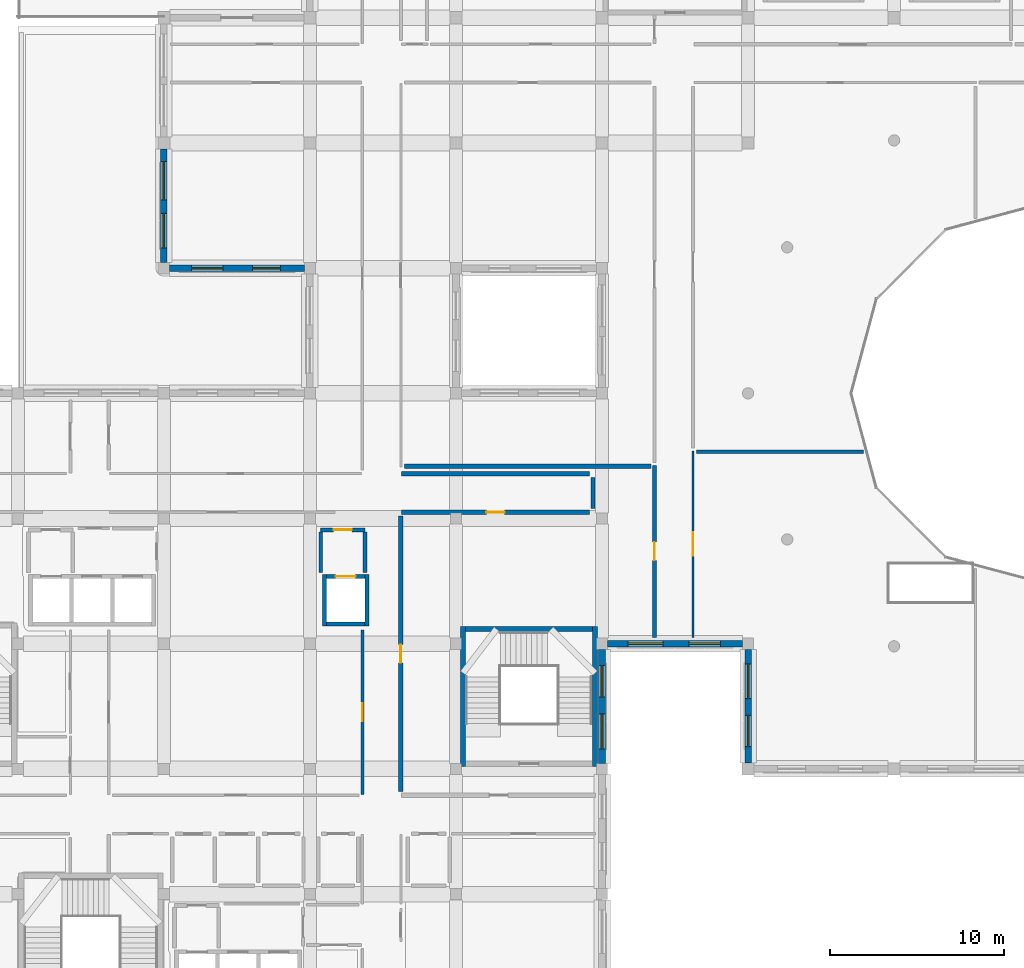
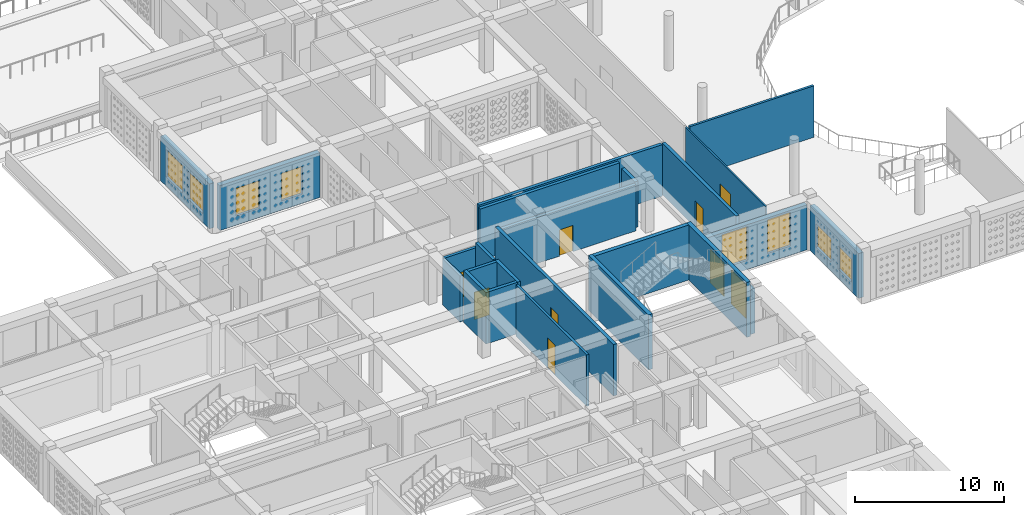
# One storey, part 9 of 47: 24 walls, 10 windows, 7 doors, 17 openings.
"""IFC4 building model written with IfcOpenShell, lengths in metres."""

from ifc_helpers import new_model, si_unit, derived_unit, direction, frame, frame_2d, origin, place, context, subcontext, project, spatial, rectangle, extrude, material, layer, layer_set, type_object, element, fill, save


model = new_model("IFC4")

# Units and contexts
model_context = context("Model", 3, precision=1e-05, world=origin(), true_north=direction((0.0, 1.0)))
body_context = subcontext(model_context, "Body", "Model", "MODEL_VIEW")
ifc_project = project(units=[si_unit("LENGTHUNIT", "METRE"), si_unit("AREAUNIT", "SQUARE_METRE"), si_unit("VOLUMEUNIT", "CUBIC_METRE"), si_unit("PLANEANGLEUNIT", "RADIAN"), si_unit("MASSUNIT", "GRAM", prefix="KILO"), derived_unit("THERMALTRANSMITTANCEUNIT", [(si_unit("POWERUNIT", "WATT"), 1), (si_unit("LENGTHUNIT", "METRE"), -2), (si_unit("THERMODYNAMICTEMPERATUREUNIT", "KELVIN"), -1)])], contexts=[model_context])

# Site, building, storey
site_placement = place(None, origin())
site = spatial("IfcSite", under=ifc_project, at=site_placement, CompositionType="ELEMENT")
building_placement = place(site_placement, origin())
building = spatial("IfcBuilding", under=site, at=building_placement, Name="Veybourne Emporium", CompositionType="ELEMENT")
storey_placement = place(building_placement, frame((0.0, 0.0, 23.39990234375)))
storey = spatial("IfcBuildingStorey", under=building, at=storey_placement, Name="L05", CompositionType="ELEMENT", Elevation=23.39990234375)

# Wall, openings, windows
ifc_material_1 = material(Name="Portland Limestone Ashlar", Category="masonry")
ifc_layer_1 = layer(ifc_material_1, 0.3798828125)
ifc_layer_set_1 = layer_set([ifc_layer_1], Name="Portland Limestone Ashlar")
wall_type_1 = type_object("IfcWallType", Name="ExtWall_EW-03", PredefinedType="SOLIDWALL", material=ifc_layer_set_1)
wall_1_placement = place(storey_placement, frame((33.27490234375, 57.60009765625, 0.0), z_axis=(0.0, 0.0, 1.0), x_axis=(-1.0, 0.0, 0.0)))
wall_1 = element("IfcWall", 1, at=wall_1_placement, inside=storey, type_object=wall_type_1, Name="L05 Portland stone external wall 016", PredefinedType="SOLIDWALL", context=body_context, shape_type="SweptSolid", body=[
    extrude(rectangle(XDim=7.75, YDim=0.3798828125, at=frame_2d((3.875, 0.0))), origin(), (0.0, 0.0, 1.0), 3.66015625),
])
opening_1_placement = place(wall_1_placement, frame((1.3701171875, 0.0, 0.75)))
opening_1 = element("IfcOpeningElement", 2, at=opening_1_placement, cuts=wall_1, Name="Opening W-19", PredefinedType="OPENING", context=body_context, shape_type="SweptSolid", body=[
    extrude(rectangle(XDim=1.60009765625, YDim=2.260009765625, at=frame_2d((0.800048828125, 1.1298828125))), frame((0.0, 0.2099609375, 0.0), z_axis=(0.0, -1.0, 0.0), x_axis=(1.0, 0.0, 0.0)), (0.0, 0.0, 1.0), 0.419921875),
])
opening_2_placement = place(wall_1_placement, frame((4.679931640625, 0.0, 0.75)))
opening_2 = element("IfcOpeningElement", 3, at=opening_2_placement, cuts=wall_1, Name="Opening W-20", PredefinedType="OPENING", context=body_context, shape_type="SweptSolid", body=[
    extrude(rectangle(XDim=1.800048828125, YDim=2.260009765625, at=frame_2d((0.89990234375, 1.1298828125))), frame((0.0, 0.2099609375, 0.0), z_axis=(0.0, -1.0, 0.0), x_axis=(1.0, 0.0, 0.0)), (0.0, 0.0, 1.0), 0.419921875),
])
ifc_material_2 = material(Name="Low-E Triple Glazing", Category="glass")
window_type_1 = type_object("IfcWindowType", Name="Win_W-19", PartitioningType="DOUBLE_PANEL_VERTICAL", PredefinedType="WINDOW", material=ifc_material_2)
window_1_placement = place(opening_1_placement, origin())
window_1 = element("IfcWindow", 4, at=window_1_placement, inside=storey, type_object=window_type_1, Name="L05 tripartite bronze casement window W-19 (16.1)", OverallHeight=2.260009765625, OverallWidth=1.60009765625, PartitioningType="DOUBLE_PANEL_VERTICAL", PredefinedType="WINDOW", context=body_context, shape_type="SweptSolid", body=[
    extrude(rectangle(XDim=1.60009765625, YDim=2.260009765625, at=frame_2d((0.800048828125, 1.1298828125))), frame((0.0, 0.030029296875, 0.0), z_axis=(0.0, -1.0, 0.0), x_axis=(1.0, 0.0, 0.0)), (0.0, 0.0, 1.0), 0.06005859375),
])
fill(opening_1, window_1)
window_type_2 = type_object("IfcWindowType", Name="Win_W-20", PartitioningType="DOUBLE_PANEL_VERTICAL", PredefinedType="WINDOW", material=ifc_material_2)
window_2_placement = place(opening_2_placement, origin())
window_2 = element("IfcWindow", 5, at=window_2_placement, inside=storey, type_object=window_type_2, Name="L05 tripartite bronze casement window W-20 (16.2)", OverallHeight=2.260009765625, OverallWidth=1.800048828125, PartitioningType="DOUBLE_PANEL_VERTICAL", PredefinedType="WINDOW", context=body_context, shape_type="SweptSolid", body=[
    extrude(rectangle(XDim=1.800048828125, YDim=2.260009765625, at=frame_2d((0.89990234375, 1.1298828125))), frame((0.0, 0.030029296875, 0.0), z_axis=(0.0, -1.0, 0.0), x_axis=(1.0, 0.0, 0.0)), (0.0, 0.0, 1.0), 0.06005859375),
])
fill(opening_2, window_2)

wall_2_placement = place(storey_placement, frame((25.199951171875, 57.925048828125, 0.0), z_axis=(0.0, 0.0, 1.0), x_axis=(0.0, 1.0, 0.0)))
wall_2 = element("IfcWall", 6, at=wall_2_placement, inside=storey, type_object=wall_type_1, Name="L05 Portland stone external wall 017", PredefinedType="SOLIDWALL", context=body_context, shape_type="SweptSolid", body=[
    extrude(rectangle(XDim=6.52490234375, YDim=0.3798828125, at=frame_2d((3.262451171875, 0.0))), origin(), (0.0, 0.0, 1.0), 3.66015625),
])
opening_3_placement = place(wall_2_placement, frame((0.826904296875, 0.0, 0.75)))
opening_3 = element("IfcOpeningElement", 7, at=opening_3_placement, cuts=wall_2, Name="Opening W-21", PredefinedType="OPENING", context=body_context, shape_type="SweptSolid", body=[
    extrude(rectangle(XDim=2.0, YDim=2.260009765625, at=frame_2d((1.0, 1.1298828125))), frame((0.0, 0.2099609375, 0.0), z_axis=(0.0, -1.0, 0.0), x_axis=(1.0, 0.0, 0.0)), (0.0, 0.0, 1.0), 0.419921875),
])
opening_4_placement = place(wall_2_placement, frame((3.597900390625, 0.0, 0.75)))
opening_4 = element("IfcOpeningElement", 8, at=opening_4_placement, cuts=wall_2, Name="Opening W-22", PredefinedType="OPENING", context=body_context, shape_type="SweptSolid", body=[
    extrude(rectangle(XDim=2.199951171875, YDim=2.260009765625, at=frame_2d((1.10009765625, 1.1298828125))), frame((0.0, 0.2099609375, 0.0), z_axis=(0.0, -1.0, 0.0), x_axis=(1.0, 0.0, 0.0)), (0.0, 0.0, 1.0), 0.419921875),
])
window_type_3 = type_object("IfcWindowType", Name="Win_W-21", PartitioningType="TRIPLE_PANEL_VERTICAL", PredefinedType="WINDOW", material=ifc_material_2)
window_3_placement = place(opening_3_placement, origin())
window_3 = element("IfcWindow", 9, at=window_3_placement, inside=storey, type_object=window_type_3, Name="L05 tripartite bronze casement window W-21 (17.1)", OverallHeight=2.260009765625, OverallWidth=2.0, PartitioningType="TRIPLE_PANEL_VERTICAL", PredefinedType="WINDOW", context=body_context, shape_type="SweptSolid", body=[
    extrude(rectangle(XDim=2.0, YDim=2.260009765625, at=frame_2d((1.0, 1.1298828125))), frame((0.0, 0.030029296875, 0.0), z_axis=(0.0, -1.0, 0.0), x_axis=(1.0, 0.0, 0.0)), (0.0, 0.0, 1.0), 0.06005859375),
])
fill(opening_3, window_3)
window_type_4 = type_object("IfcWindowType", Name="Win_W-22", PartitioningType="TRIPLE_PANEL_VERTICAL", PredefinedType="WINDOW", material=ifc_material_2)
window_4_placement = place(opening_4_placement, origin())
window_4 = element("IfcWindow", 10, at=window_4_placement, inside=storey, type_object=window_type_4, Name="L05 tripartite bronze casement window W-22 (17.2)", OverallHeight=2.260009765625, OverallWidth=2.199951171875, PartitioningType="TRIPLE_PANEL_VERTICAL", PredefinedType="WINDOW", context=body_context, shape_type="SweptSolid", body=[
    extrude(rectangle(XDim=2.199951171875, YDim=2.260009765625, at=frame_2d((1.10009765625, 1.1298828125))), frame((0.0, 0.030029296875, 0.0), z_axis=(0.0, -1.0, 0.0), x_axis=(1.0, 0.0, 0.0)), (0.0, 0.0, 1.0), 0.06005859375),
])
fill(opening_4, window_4)

wall_3_placement = place(storey_placement, frame((50.39990234375, 35.675048828125, 0.0), z_axis=(0.0, 0.0, 1.0), x_axis=(0.0, -1.0, 0.0)))
wall_3 = element("IfcWall", 11, at=wall_3_placement, inside=storey, type_object=wall_type_1, Name="L05 Portland stone external wall 031", PredefinedType="SOLIDWALL", context=body_context, shape_type="SweptSolid", body=[
    extrude(rectangle(XDim=6.550048828125, YDim=0.3798828125, at=frame_2d((3.27490234375, 0.0))), origin(), (0.0, 0.0, 1.0), 3.66015625),
])
opening_5_placement = place(wall_3_placement, frame((0.93408203125, 0.0, 0.75)))
opening_5 = element("IfcOpeningElement", 12, at=opening_5_placement, cuts=wall_3, Name="Opening W-44", PredefinedType="OPENING", context=body_context, shape_type="SweptSolid", body=[
    extrude(rectangle(XDim=1.800048828125, YDim=2.760009765625, at=frame_2d((0.89990234375, 1.3798828125))), frame((0.0, 0.2099609375, 0.0), z_axis=(0.0, -1.0, 0.0), x_axis=(1.0, 0.0, 0.0)), (0.0, 0.0, 1.0), 0.419921875),
])
opening_6_placement = place(wall_3_placement, frame((3.716064453125, 0.0, 0.75)))
opening_6 = element("IfcOpeningElement", 13, at=opening_6_placement, cuts=wall_3, Name="Opening W-45", PredefinedType="OPENING", context=body_context, shape_type="SweptSolid", body=[
    extrude(rectangle(XDim=2.0, YDim=2.760009765625, at=frame_2d((1.0, 1.3798828125))), frame((0.0, 0.2099609375, 0.0), z_axis=(0.0, -1.0, 0.0), x_axis=(1.0, 0.0, 0.0)), (0.0, 0.0, 1.0), 0.419921875),
])
window_type_5 = type_object("IfcWindowType", Name="Win_W-44", PartitioningType="DOUBLE_PANEL_VERTICAL", PredefinedType="WINDOW", material=ifc_material_2)
window_5_placement = place(opening_5_placement, origin())
window_5 = element("IfcWindow", 14, at=window_5_placement, inside=storey, type_object=window_type_5, Name="L05 tripartite bronze casement window W-44 (31.1)", OverallHeight=2.760009765625, OverallWidth=1.800048828125, PartitioningType="DOUBLE_PANEL_VERTICAL", PredefinedType="WINDOW", context=body_context, shape_type="SweptSolid", body=[
    extrude(rectangle(XDim=1.800048828125, YDim=2.760009765625, at=frame_2d((0.89990234375, 1.3798828125))), frame((0.0, 0.030029296875, 0.0), z_axis=(0.0, -1.0, 0.0), x_axis=(1.0, 0.0, 0.0)), (0.0, 0.0, 1.0), 0.06005859375),
])
fill(opening_5, window_5)
window_type_6 = type_object("IfcWindowType", Name="Win_W-45", PartitioningType="TRIPLE_PANEL_VERTICAL", PredefinedType="WINDOW", material=ifc_material_2)
window_6_placement = place(opening_6_placement, origin())
window_6 = element("IfcWindow", 15, at=window_6_placement, inside=storey, type_object=window_type_6, Name="L05 tripartite bronze casement window W-45 (31.2)", OverallHeight=2.760009765625, OverallWidth=2.0, PartitioningType="TRIPLE_PANEL_VERTICAL", PredefinedType="WINDOW", context=body_context, shape_type="SweptSolid", body=[
    extrude(rectangle(XDim=2.0, YDim=2.760009765625, at=frame_2d((1.0, 1.3798828125))), frame((0.0, 0.030029296875, 0.0), z_axis=(0.0, -1.0, 0.0), x_axis=(1.0, 0.0, 0.0)), (0.0, 0.0, 1.0), 0.06005859375),
])
fill(opening_6, window_6)

wall_4_placement = place(storey_placement, frame((58.47509765625, 36.0, 0.0), z_axis=(0.0, 0.0, 1.0), x_axis=(-1.0, 0.0, 0.0)))
wall_4 = element("IfcWall", 16, at=wall_4_placement, inside=storey, type_object=wall_type_1, Name="L05 Portland stone external wall 035", PredefinedType="SOLIDWALL", context=body_context, shape_type="SweptSolid", body=[
    extrude(rectangle(XDim=7.75, YDim=0.3798828125, at=frame_2d((3.875, 0.0))), origin(), (0.0, 0.0, 1.0), 3.66015625),
])
opening_7_placement = place(wall_4_placement, frame((1.27001953125, 0.0, 0.75)))
opening_7 = element("IfcOpeningElement", 17, at=opening_7_placement, cuts=wall_4, Name="Opening W-52", PredefinedType="OPENING", context=body_context, shape_type="SweptSolid", body=[
    extrude(rectangle(XDim=1.800048828125, YDim=2.760009765625, at=frame_2d((0.89990234375, 1.3798828125))), frame((0.0, 0.2099609375, 0.0), z_axis=(0.0, -1.0, 0.0), x_axis=(1.0, 0.0, 0.0)), (0.0, 0.0, 1.0), 0.419921875),
])
opening_8_placement = place(wall_4_placement, frame((4.580078125, 0.0, 0.75)))
opening_8 = element("IfcOpeningElement", 18, at=opening_8_placement, cuts=wall_4, Name="Opening W-53", PredefinedType="OPENING", context=body_context, shape_type="SweptSolid", body=[
    extrude(rectangle(XDim=2.0, YDim=2.760009765625, at=frame_2d((1.0, 1.3798828125))), frame((0.0, 0.2099609375, 0.0), z_axis=(0.0, -1.0, 0.0), x_axis=(1.0, 0.0, 0.0)), (0.0, 0.0, 1.0), 0.419921875),
])
window_type_7 = type_object("IfcWindowType", Name="Win_W-52", PartitioningType="DOUBLE_PANEL_VERTICAL", PredefinedType="WINDOW", material=ifc_material_2)
window_7_placement = place(opening_7_placement, origin())
window_7 = element("IfcWindow", 19, at=window_7_placement, inside=storey, type_object=window_type_7, Name="L05 tripartite bronze casement window W-52 (35.1)", OverallHeight=2.760009765625, OverallWidth=1.800048828125, PartitioningType="DOUBLE_PANEL_VERTICAL", PredefinedType="WINDOW", context=body_context, shape_type="SweptSolid", body=[
    extrude(rectangle(XDim=1.800048828125, YDim=2.760009765625, at=frame_2d((0.89990234375, 1.3798828125))), frame((0.0, 0.030029296875, 0.0), z_axis=(0.0, -1.0, 0.0), x_axis=(1.0, 0.0, 0.0)), (0.0, 0.0, 1.0), 0.06005859375),
])
fill(opening_7, window_7)
window_type_8 = type_object("IfcWindowType", Name="Win_W-53", PartitioningType="TRIPLE_PANEL_VERTICAL", PredefinedType="WINDOW", material=ifc_material_2)
window_8_placement = place(opening_8_placement, origin())
window_8 = element("IfcWindow", 20, at=window_8_placement, inside=storey, type_object=window_type_8, Name="L05 tripartite bronze casement window W-53 (35.2)", OverallHeight=2.760009765625, OverallWidth=2.0, PartitioningType="TRIPLE_PANEL_VERTICAL", PredefinedType="WINDOW", context=body_context, shape_type="SweptSolid", body=[
    extrude(rectangle(XDim=2.0, YDim=2.760009765625, at=frame_2d((1.0, 1.3798828125))), frame((0.0, 0.030029296875, 0.0), z_axis=(0.0, -1.0, 0.0), x_axis=(1.0, 0.0, 0.0)), (0.0, 0.0, 1.0), 0.06005859375),
])
fill(opening_8, window_8)

wall_5_placement = place(storey_placement, frame((58.800048828125, 29.14990234375, 0.0), z_axis=(0.0, 0.0, 1.0), x_axis=(0.0, 1.0, 0.0)))
wall_5 = element("IfcWall", 21, at=wall_5_placement, inside=storey, type_object=wall_type_1, Name="L05 Portland stone external wall 039", PredefinedType="SOLIDWALL", context=body_context, shape_type="SweptSolid", body=[
    extrude(rectangle(XDim=6.525146484375, YDim=0.3798828125, at=frame_2d((3.2626953125, 0.0))), origin(), (0.0, 0.0, 1.0), 3.66015625),
])
opening_9_placement = place(wall_5_placement, frame((0.927001953125, 0.0, 0.75)))
opening_9 = element("IfcOpeningElement", 22, at=opening_9_placement, cuts=wall_5, Name="Opening W-04", PredefinedType="OPENING", context=body_context, shape_type="SweptSolid", body=[
    extrude(rectangle(XDim=1.800048828125, YDim=1.89990234375, at=frame_2d((0.89990234375, 0.949951171875))), frame((0.0, 0.2099609375, 0.0), z_axis=(0.0, -1.0, 0.0), x_axis=(1.0, 0.0, 0.0)), (0.0, 0.0, 1.0), 0.419921875),
])
opening_10_placement = place(wall_5_placement, frame((3.697998046875, 0.0, 0.75)))
opening_10 = element("IfcOpeningElement", 23, at=opening_10_placement, cuts=wall_5, Name="Opening W-05", PredefinedType="OPENING", context=body_context, shape_type="SweptSolid", body=[
    extrude(rectangle(XDim=2.0, YDim=1.89990234375, at=frame_2d((1.0, 0.949951171875))), frame((0.0, 0.2099609375, 0.0), z_axis=(0.0, -1.0, 0.0), x_axis=(1.0, 0.0, 0.0)), (0.0, 0.0, 1.0), 0.419921875),
])
window_type_9 = type_object("IfcWindowType", Name="Win_W-04", PartitioningType="DOUBLE_PANEL_VERTICAL", PredefinedType="WINDOW", material=ifc_material_2)
window_9_placement = place(opening_9_placement, origin())
window_9 = element("IfcWindow", 24, at=window_9_placement, inside=storey, type_object=window_type_9, Name="L05 tripartite bronze casement window W-04 (39.1)", OverallHeight=1.89990234375, OverallWidth=1.800048828125, PartitioningType="DOUBLE_PANEL_VERTICAL", PredefinedType="WINDOW", context=body_context, shape_type="SweptSolid", body=[
    extrude(rectangle(XDim=1.800048828125, YDim=1.89990234375, at=frame_2d((0.89990234375, 0.949951171875))), frame((0.0, 0.030029296875, 0.0), z_axis=(0.0, -1.0, 0.0), x_axis=(1.0, 0.0, 0.0)), (0.0, 0.0, 1.0), 0.06005859375),
])
fill(opening_9, window_9)
window_type_10 = type_object("IfcWindowType", Name="Win_W-05", PartitioningType="TRIPLE_PANEL_VERTICAL", PredefinedType="WINDOW", material=ifc_material_2)
window_10_placement = place(opening_10_placement, origin())
window_10 = element("IfcWindow", 25, at=window_10_placement, inside=storey, type_object=window_type_10, Name="L05 tripartite bronze casement window W-05 (39.2)", OverallHeight=1.89990234375, OverallWidth=2.0, PartitioningType="TRIPLE_PANEL_VERTICAL", PredefinedType="WINDOW", context=body_context, shape_type="SweptSolid", body=[
    extrude(rectangle(XDim=2.0, YDim=1.89990234375, at=frame_2d((1.0, 0.949951171875))), frame((0.0, 0.030029296875, 0.0), z_axis=(0.0, -1.0, 0.0), x_axis=(1.0, 0.0, 0.0)), (0.0, 0.0, 1.0), 0.06005859375),
])
fill(opening_10, window_10)

# Walls
ifc_material_3 = material(Name="Concrete C40/50", Category="concrete")
ifc_layer_2 = layer(ifc_material_3, 0.300048828125)
ifc_layer_set_2 = layer_set([ifc_layer_2], Name="Concrete C40/50")
wall_type_2 = type_object("IfcWallType", Name="IntWall_CW-03", PredefinedType="SHEAR", material=ifc_layer_set_2)
wall_6_placement = place(storey_placement, frame((42.550048828125, 36.85009765625, 0.0), z_axis=(0.0, 0.0, 1.0), x_axis=(1.0, 0.0, 0.0)))
element("IfcWall", 26, at=wall_6_placement, inside=storey, type_object=wall_type_2, Name="Core stair ST-05 north shear wall (L05)", PredefinedType="SHEAR", context=body_context, shape_type="SweptSolid", body=[
    extrude(rectangle(XDim=7.300048828125, YDim=0.300048828125, at=frame_2d((3.64990234375, 0.0))), origin(), (0.0, 0.0, 1.0), 4.5),
])
for number, where, z_axis, x_axis, name in (
    (27, (42.39990234375, 37.0, 0.0), (0.0, 0.0, 1.0), (0.0, -1.0, 0.0), "Core stair ST-05 west shear wall (L05)"),
    (28, (50.0, 28.949951171875, 0.0), (0.0, 0.0, 1.0), (0.0, 1.0, 0.0), "Core stair ST-05 east shear wall (L05)"),
):
    element("IfcWall", number, at=place(storey_placement, frame(where, z_axis=z_axis, x_axis=x_axis)), inside=storey, type_object=wall_type_2, Name=name, PredefinedType="SHEAR", context=body_context, shape_type="SweptSolid", body=[
        extrude(rectangle(XDim=8.050048828125, YDim=0.300048828125, at=frame_2d((4.02490234375, 0.0))), origin(), (0.0, 0.0, 1.0), 4.5),
    ])

# Wall, opening, door
ifc_layer_3 = layer(ifc_material_3, 0.239990234375)
ifc_layer_set_3 = layer_set([ifc_layer_3], Name="Concrete C40/50")
wall_type_3 = type_object("IfcWallType", Name="IntWall_CW-04", PredefinedType="SHEAR", material=ifc_layer_set_3)
wall_7_placement = place(storey_placement, frame((36.760009765625, 39.8701171875, 0.0), z_axis=(0.0, 0.0, 1.0), x_axis=(-1.0, 0.0, 0.0)))
wall_7 = element("IfcWall", 29, at=wall_7_placement, inside=storey, type_object=wall_type_3, Name="Lift core C3 north shaft wall (L05)", PredefinedType="SHEAR", context=body_context, shape_type="SweptSolid", body=[
    extrude(rectangle(XDim=2.199951171875, YDim=0.239990234375, at=frame_2d((1.10009765625, 0.0))), origin(), (0.0, 0.0, 1.0), 4.210205078125),
])
opening_11_placement = place(wall_7_placement, frame((0.52490234375, 0.0, 0.0)))
opening_11 = element("IfcOpeningElement", 30, at=opening_11_placement, cuts=wall_7, Name="Opening LD-02", PredefinedType="OPENING", context=body_context, shape_type="SweptSolid", body=[
    extrude(rectangle(XDim=1.14990234375, YDim=2.25, at=frame_2d((0.574951171875, 1.125))), frame((0.0, 0.14013671875, 0.0), z_axis=(0.0, -1.0, 0.0), x_axis=(1.0, 0.0, 0.0)), (0.0, 0.0, 1.0), 0.280029296875),
])
ifc_material_4 = material(Name="Patinated Architectural Bronze", Category="bronze")
door_type_1 = type_object("IfcDoorType", Name="FireDoor_LD-02", OperationType="SLIDING_TO_LEFT", PredefinedType="DOOR", material=ifc_material_4)
door_1_placement = place(opening_11_placement, origin())
door_1 = element("IfcDoor", 31, at=door_1_placement, inside=storey, type_object=door_type_1, Name="Lift FFL-03 sliding landing door (L05)", OperationType="SLIDING_TO_LEFT", OverallHeight=2.25, OverallWidth=1.14990234375, PredefinedType="DOOR", context=body_context, shape_type="SweptSolid", body=[
    extrude(rectangle(XDim=1.14990234375, YDim=2.25, at=frame_2d((0.574951171875, 1.125))), frame((0.0, 0.02490234375, 0.0), z_axis=(0.0, -1.0, 0.0), x_axis=(1.0, 0.0, 0.0)), (0.0, 0.0, 1.0), 0.050048828125),
])
fill(opening_11, door_1)

# Walls
wall_8_placement = place(storey_placement, frame((34.56005859375, 37.1298828125, 0.0), z_axis=(0.0, 0.0, 1.0), x_axis=(1.0, 0.0, 0.0)))
element("IfcWall", 32, at=wall_8_placement, inside=storey, type_object=wall_type_3, Name="Lift core C3 south shaft wall (L05)", PredefinedType="SHEAR", context=body_context, shape_type="SweptSolid", body=[
    extrude(rectangle(XDim=2.199951171875, YDim=0.239990234375, at=frame_2d((1.10009765625, 0.0))), origin(), (0.0, 0.0, 1.0), 4.210205078125),
])
for number, where, z_axis, x_axis, name in (
    (33, (34.43994140625, 39.989990234375, 0.0), (0.0, 0.0, 1.0), (0.0, -1.0, 0.0), "Lift core C3 west shaft wall (L05)"),
    (34, (36.8798828125, 37.010009765625, 0.0), (0.0, 0.0, 1.0), (0.0, 1.0, 0.0), "Lift core C3 east shaft wall (L05)"),
):
    element("IfcWall", number, at=place(storey_placement, frame(where, z_axis=z_axis, x_axis=x_axis)), inside=storey, type_object=wall_type_3, Name=name, PredefinedType="SHEAR", context=body_context, shape_type="SweptSolid", body=[
        extrude(rectangle(XDim=2.97998046875, YDim=0.239990234375, at=frame_2d((1.489990234375, 0.0))), origin(), (0.0, 0.0, 1.0), 4.210205078125),
    ])

# Wall, opening, door
ifc_material_5 = material(Name="Concrete C32/40", Category="concrete")
ifc_layer_4 = layer(ifc_material_5, 0.25)
ifc_layer_set_4 = layer_set([ifc_layer_4], Name="Concrete C32/40")
wall_type_4 = type_object("IfcWallType", Name="IntWall_FW-01", PredefinedType="SOLIDWALL", material=ifc_layer_set_4)
wall_9_placement = place(storey_placement, frame((38.830078125, 27.489990234375, 0.0), z_axis=(0.0, 0.0, 1.0), x_axis=(0.0, 1.0, 0.0)))
wall_9 = element("IfcWall", 35, at=wall_9_placement, inside=storey, type_object=wall_type_4, Name="L05 interior partition FW-01 #012", PredefinedType="SOLIDWALL", context=body_context, shape_type="SweptSolid", body=[
    extrude(rectangle(XDim=15.8701171875, YDim=0.25, at=frame_2d((7.93505859375, 0.0))), origin(), (0.0, 0.0, 1.0), 4.210205078125),
])
opening_12_placement = place(wall_9_placement, frame((7.409912109375, 0.0, 0.0)))
opening_12 = element("IfcOpeningElement", 36, at=opening_12_placement, cuts=wall_9, Name="Opening FD-02", PredefinedType="OPENING", context=body_context, shape_type="SweptSolid", body=[
    extrude(rectangle(XDim=1.050048828125, YDim=2.14990234375, at=frame_2d((0.52490234375, 1.074951171875))), frame((0.0, 0.14501953125, 0.0), z_axis=(0.0, -1.0, 0.0), x_axis=(1.0, 0.0, 0.0)), (0.0, 0.0, 1.0), 0.2900390625),
])
door_type_2 = type_object("IfcDoorType", Name="FireDoor_FD-02", OperationType="NOTDEFINED", PredefinedType="DOOR", material=ifc_material_4)
door_2_placement = place(opening_12_placement, origin())
door_2 = element("IfcDoor", 37, at=door_2_placement, inside=storey, type_object=door_type_2, Name="L05 interior door FD-02 (PART-L05-012)", OperationType="SINGLE_SWING_RIGHT", OverallHeight=2.14990234375, OverallWidth=1.050048828125, PredefinedType="DOOR", context=body_context, shape_type="SweptSolid", body=[
    extrude(rectangle(XDim=1.050048828125, YDim=2.14990234375, at=frame_2d((0.52490234375, 1.074951171875))), frame((0.0, 0.02490234375, 0.0), z_axis=(0.0, -1.0, 0.0), x_axis=(1.0, 0.0, 0.0)), (0.0, 0.0, 1.0), 0.050048828125),
])
fill(opening_12, door_2)

wall_10_placement = place(storey_placement, frame((38.8798828125, 43.570068359375, 0.0), z_axis=(0.0, 0.0, 1.0), x_axis=(1.0, 0.0, 0.0)))
wall_10 = element("IfcWall", 38, at=wall_10_placement, inside=storey, type_object=wall_type_4, Name="L05 interior partition FW-01 #036", PredefinedType="SOLIDWALL", context=body_context, shape_type="SweptSolid", body=[
    extrude(rectangle(XDim=10.7900390625, YDim=0.25, at=frame_2d((5.39501953125, 0.0))), origin(), (0.0, 0.0, 1.0), 3.760009765625),
])
opening_13_placement = place(wall_10_placement, frame((4.8701171875, 0.0, 0.0)))
opening_13 = element("IfcOpeningElement", 39, at=opening_13_placement, cuts=wall_10, Name="Opening FD-02", PredefinedType="OPENING", context=body_context, shape_type="SweptSolid", body=[
    extrude(rectangle(XDim=1.050048828125, YDim=2.14990234375, at=frame_2d((0.52490234375, 1.074951171875))), frame((0.0, 0.14501953125, 0.0), z_axis=(0.0, -1.0, 0.0), x_axis=(1.0, 0.0, 0.0)), (0.0, 0.0, 1.0), 0.2900390625),
])
door_3_placement = place(opening_13_placement, origin())
door_3 = element("IfcDoor", 40, at=door_3_placement, inside=storey, type_object=door_type_2, Name="L05 interior door FD-02 (PART-L05-036)", OperationType="SINGLE_SWING_LEFT", OverallHeight=2.14990234375, OverallWidth=1.050048828125, PredefinedType="DOOR", context=body_context, shape_type="SweptSolid", body=[
    extrude(rectangle(XDim=1.050048828125, YDim=2.14990234375, at=frame_2d((0.52490234375, 1.074951171875))), frame((0.0, 0.02490234375, 0.0), z_axis=(0.0, -1.0, 0.0), x_axis=(1.0, 0.0, 0.0)), (0.0, 0.0, 1.0), 0.050048828125),
])
fill(opening_13, door_3)

# Wall
wall_11_placement = place(storey_placement, frame((38.8798828125, 45.780029296875, 0.0), z_axis=(0.0, 0.0, 1.0), x_axis=(1.0, 0.0, 0.0)))
element("IfcWall", 41, at=wall_11_placement, inside=storey, type_object=wall_type_4, Name="L05 interior partition FW-01 #037", PredefinedType="SOLIDWALL", context=body_context, shape_type="SweptSolid", body=[
    extrude(rectangle(XDim=10.7900390625, YDim=0.25, at=frame_2d((5.39501953125, 0.0))), origin(), (0.0, 0.0, 1.0), 4.210205078125),
])

# Wall, opening, door
wall_12_placement = place(storey_placement, frame((53.419921875, 36.3701171875, 0.0), z_axis=(0.0, 0.0, 1.0), x_axis=(0.0, 1.0, 0.0)))
wall_12 = element("IfcWall", 42, at=wall_12_placement, inside=storey, type_object=wall_type_4, Name="L05 interior partition FW-01 #041", PredefinedType="SOLIDWALL", context=body_context, shape_type="SweptSolid", body=[
    extrude(rectangle(XDim=9.884765625, YDim=0.25, at=frame_2d((4.9423828125, 0.0))), origin(), (0.0, 0.0, 1.0), 4.210205078125),
])
opening_14_placement = place(wall_12_placement, frame((4.41748046875, 0.0, 0.0)))
opening_14 = element("IfcOpeningElement", 43, at=opening_14_placement, cuts=wall_12, Name="Opening FD-02", PredefinedType="OPENING", context=body_context, shape_type="SweptSolid", body=[
    extrude(rectangle(XDim=1.050048828125, YDim=2.14990234375, at=frame_2d((0.52490234375, 1.074951171875))), frame((0.0, 0.14501953125, 0.0), z_axis=(0.0, -1.0, 0.0), x_axis=(1.0, 0.0, 0.0)), (0.0, 0.0, 1.0), 0.2900390625),
])
door_4_placement = place(opening_14_placement, origin())
door_4 = element("IfcDoor", 44, at=door_4_placement, inside=storey, type_object=door_type_2, Name="L05 interior door FD-02 (PART-L05-041)", OperationType="SINGLE_SWING_RIGHT", OverallHeight=2.14990234375, OverallWidth=1.050048828125, PredefinedType="DOOR", context=body_context, shape_type="SweptSolid", body=[
    extrude(rectangle(XDim=1.050048828125, YDim=2.14990234375, at=frame_2d((0.52490234375, 1.074951171875))), frame((0.0, 0.02490234375, 0.0), z_axis=(0.0, -1.0, 0.0), x_axis=(1.0, 0.0, 0.0)), (0.0, 0.0, 1.0), 0.050048828125),
])
fill(opening_14, door_4)

# Walls
wall_13_placement = place(storey_placement, frame((49.8798828125, 43.780029296875, 0.0), z_axis=(0.0, 0.0, 1.0), x_axis=(0.0, 1.0, 0.0)))
element("IfcWall", 45, at=wall_13_placement, inside=storey, type_object=wall_type_4, Name="L05 interior partition FW-01 #091", PredefinedType="SOLIDWALL", context=body_context, shape_type="SweptSolid", body=[
    extrude(rectangle(XDim=1.7900390625, YDim=0.25, at=frame_2d((0.89501953125, 0.0))), origin(), (0.0, 0.0, 1.0), 3.760009765625),
])
wall_14_placement = place(storey_placement, frame((39.0400390625, 46.205078125, 0.0), z_axis=(0.0, 0.0, 1.0), x_axis=(1.0, 0.0, 0.0)))
element("IfcWall", 46, at=wall_14_placement, inside=storey, type_object=wall_type_4, Name="L05 interior partition FW-01 #101", PredefinedType="SOLIDWALL", context=body_context, shape_type="SweptSolid", body=[
    extrude(rectangle(XDim=14.169921875, YDim=0.25, at=frame_2d((7.0849609375, 0.0))), origin(), (0.0, 0.0, 1.0), 4.210205078125),
])

# Wall, opening, door
ifc_layer_5 = layer(ifc_material_5, 0.219970703125)
ifc_layer_set_5 = layer_set([ifc_layer_5], Name="Concrete C32/40")
wall_type_5 = type_object("IfcWallType", Name="IntWall_FW-02", PredefinedType="SOLIDWALL", material=ifc_layer_set_5)
wall_15_placement = place(storey_placement, frame((34.219970703125, 42.550048828125, 0.0), z_axis=(0.0, 0.0, 1.0), x_axis=(1.0, 0.0, 0.0)))
wall_15 = element("IfcWall", 47, at=wall_15_placement, inside=storey, type_object=wall_type_5, Name="Firefighting lobby C3 fire wall N (L05)", PredefinedType="SOLIDWALL", context=body_context, shape_type="SweptSolid", body=[
    extrude(rectangle(XDim=2.5400390625, YDim=0.219970703125, at=frame_2d((1.27001953125, 0.0))), origin(), (0.0, 0.0, 1.0), 3.760009765625),
])
opening_15_placement = place(wall_15_placement, frame((0.7451171875, 0.0, 0.0)))
opening_15 = element("IfcOpeningElement", 48, at=opening_15_placement, cuts=wall_15, Name="Opening FD-02", PredefinedType="OPENING", context=body_context, shape_type="SweptSolid", body=[
    extrude(rectangle(XDim=1.050048828125, YDim=2.14990234375, at=frame_2d((0.52490234375, 1.074951171875))), frame((0.0, 0.1298828125, 0.0), z_axis=(0.0, -1.0, 0.0), x_axis=(1.0, 0.0, 0.0)), (0.0, 0.0, 1.0), 0.260009765625),
])
door_5_placement = place(opening_15_placement, origin())
door_5 = element("IfcDoor", 49, at=door_5_placement, inside=storey, type_object=door_type_2, Name="Firefighting lobby C3 FD60S door N (L05)", OperationType="SINGLE_SWING_RIGHT", OverallHeight=2.14990234375, OverallWidth=1.050048828125, PredefinedType="DOOR", context=body_context, shape_type="SweptSolid", body=[
    extrude(rectangle(XDim=1.050048828125, YDim=2.14990234375, at=frame_2d((0.52490234375, 1.074951171875))), frame((0.0, 0.02490234375, 0.0), z_axis=(0.0, -1.0, 0.0), x_axis=(1.0, 0.0, 0.0)), (0.0, 0.0, 1.0), 0.050048828125),
])
fill(opening_15, door_5)

# Walls
wall_16_placement = place(storey_placement, frame((34.219970703125, 40.110107421875, 0.0), z_axis=(0.0, 0.0, 1.0), x_axis=(0.0, 1.0, 0.0)))
element("IfcWall", 50, at=wall_16_placement, inside=storey, type_object=wall_type_5, Name="Firefighting lobby C3 fire wall W (L05)", PredefinedType="SOLIDWALL", context=body_context, shape_type="SweptSolid", body=[
    extrude(rectangle(XDim=2.31982421875, YDim=0.219970703125, at=frame_2d((1.159912109375, 0.0))), origin(), (0.0, 0.0, 1.0), 3.760009765625),
])
wall_17_placement = place(storey_placement, frame((36.760009765625, 40.110107421875, 0.0), z_axis=(0.0, 0.0, 1.0), x_axis=(0.0, 1.0, 0.0)))
element("IfcWall", 51, at=wall_17_placement, inside=storey, type_object=wall_type_5, Name="Firefighting lobby C3 fire wall E (L05)", PredefinedType="SOLIDWALL", context=body_context, shape_type="SweptSolid", body=[
    extrude(rectangle(XDim=2.31982421875, YDim=0.219970703125, at=frame_2d((1.159912109375, 0.0))), origin(), (0.0, 0.0, 1.0), 4.210205078125),
])

# Wall, opening, door
ifc_material_6 = material(Name="Gypsum Acoustic Board", Category="gypsum")
ifc_layer_6 = layer(ifc_material_6, 0.179931640625)
ifc_layer_set_6 = layer_set([ifc_layer_6], Name="Gypsum Acoustic Board")
wall_type_6 = type_object("IfcWallType", Name="IntWall_IW-01", PredefinedType="PARTITIONING", material=ifc_layer_set_6)
wall_18_placement = place(storey_placement, frame((36.6201171875, 27.330078125, 0.0), z_axis=(0.0, 0.0, 1.0), x_axis=(0.0, 1.0, 0.0)))
wall_18 = element("IfcWall", 52, at=wall_18_placement, inside=storey, type_object=wall_type_6, Name="L05 interior partition IW-01 #042", PredefinedType="PARTITIONING", context=body_context, shape_type="SweptSolid", body=[
    extrude(rectangle(XDim=9.469970703125, YDim=0.179931640625, at=frame_2d((4.73486328125, 0.0))), origin(), (0.0, 0.0, 1.0), 4.210205078125),
])
opening_16_placement = place(wall_18_placement, frame((4.215087890625, 0.0, 0.0)))
opening_16 = element("IfcOpeningElement", 53, at=opening_16_placement, cuts=wall_18, Name="Opening D-32", PredefinedType="OPENING", context=body_context, shape_type="SweptSolid", body=[
    extrude(rectangle(XDim=1.0400390625, YDim=2.449951171875, at=frame_2d((0.52001953125, 1.22509765625))), frame((0.0, 0.10986328125, 0.0), z_axis=(0.0, -1.0, 0.0), x_axis=(1.0, 0.0, 0.0)), (0.0, 0.0, 1.0), 0.219970703125),
])
ifc_material_7 = material(Name="European Oak Veneer and Bronze", Category="wood")
door_type_3 = type_object("IfcDoorType", Name="IntDoor_D-32", OperationType="NOTDEFINED", PredefinedType="DOOR", material=ifc_material_7)
door_6_placement = place(opening_16_placement, origin())
door_6 = element("IfcDoor", 54, at=door_6_placement, inside=storey, type_object=door_type_3, Name="L05 interior door D-32 (PART-L05-042)", OperationType="SINGLE_SWING_LEFT", OverallHeight=2.449951171875, OverallWidth=1.0400390625, PredefinedType="DOOR", context=body_context, shape_type="SweptSolid", body=[
    extrude(rectangle(XDim=1.0400390625, YDim=2.449951171875, at=frame_2d((0.52001953125, 1.22509765625))), frame((0.0, 0.02490234375, 0.0), z_axis=(0.0, -1.0, 0.0), x_axis=(1.0, 0.0, 0.0)), (0.0, 0.0, 1.0), 0.050048828125),
])
fill(opening_16, door_6)

# Wall
wall_19_placement = place(storey_placement, frame((55.840087890625, 47.044921875, 0.0), z_axis=(0.0, 0.0, 1.0), x_axis=(1.0, 0.0, 0.0)))
element("IfcWall", 55, at=wall_19_placement, inside=storey, type_object=wall_type_6, Name="L05 interior partition IW-01 #105", PredefinedType="PARTITIONING", context=body_context, shape_type="SweptSolid", body=[
    extrude(rectangle(XDim=9.594970703125, YDim=0.179931640625, at=frame_2d((4.79736328125, 0.0))), origin(), (0.0, 0.0, 1.0), 4.210205078125),
])

# Wall, opening, door
ifc_layer_7 = layer(ifc_material_6, 0.1201171875)
ifc_layer_set_7 = layer_set([ifc_layer_7], Name="Gypsum Acoustic Board")
wall_type_7 = type_object("IfcWallType", Name="IntWall_IW-03", PredefinedType="PARTITIONING", material=ifc_layer_set_7)
wall_20_placement = place(storey_placement, frame((55.6298828125, 36.3701171875, 0.0), z_axis=(0.0, 0.0, 1.0), x_axis=(0.0, 1.0, 0.0)))
wall_20 = element("IfcWall", 56, at=wall_20_placement, inside=storey, type_object=wall_type_7, Name="L05 interior partition IW-03 #038", PredefinedType="PARTITIONING", context=body_context, shape_type="SweptSolid", body=[
    extrude(rectangle(XDim=10.724853515625, YDim=0.1201171875, at=frame_2d((5.3623046875, 0.0))), origin(), (0.0, 0.0, 1.0), 4.210205078125),
])
opening_17_placement = place(wall_20_placement, frame((4.6826171875, 0.0, 0.0)))
opening_17 = element("IfcOpeningElement", 57, at=opening_17_placement, cuts=wall_20, Name="Opening D-28", PredefinedType="OPENING", context=body_context, shape_type="SweptSolid", body=[
    extrude(rectangle(XDim=1.360107421875, YDim=2.3701171875, at=frame_2d((0.68017578125, 1.18505859375))), frame((0.0, 0.080078125, 0.0), z_axis=(0.0, -1.0, 0.0), x_axis=(1.0, 0.0, 0.0)), (0.0, 0.0, 1.0), 0.16015625),
])
door_type_4 = type_object("IfcDoorType", Name="IntDoor_D-28", OperationType="NOTDEFINED", PredefinedType="DOOR", material=ifc_material_7)
door_7_placement = place(opening_17_placement, origin())
door_7 = element("IfcDoor", 58, at=door_7_placement, inside=storey, type_object=door_type_4, Name="L05 interior door D-28 (PART-L05-038)", OperationType="SINGLE_SWING_RIGHT", OverallHeight=2.3701171875, OverallWidth=1.360107421875, PredefinedType="DOOR", context=body_context, shape_type="SweptSolid", body=[
    extrude(rectangle(XDim=1.360107421875, YDim=2.3701171875, at=frame_2d((0.68017578125, 1.18505859375))), frame((0.0, 0.02490234375, 0.0), z_axis=(0.0, -1.0, 0.0), x_axis=(1.0, 0.0, 0.0)), (0.0, 0.0, 1.0), 0.050048828125),
])
fill(opening_17, door_7)

save(model, "model.ifc")
